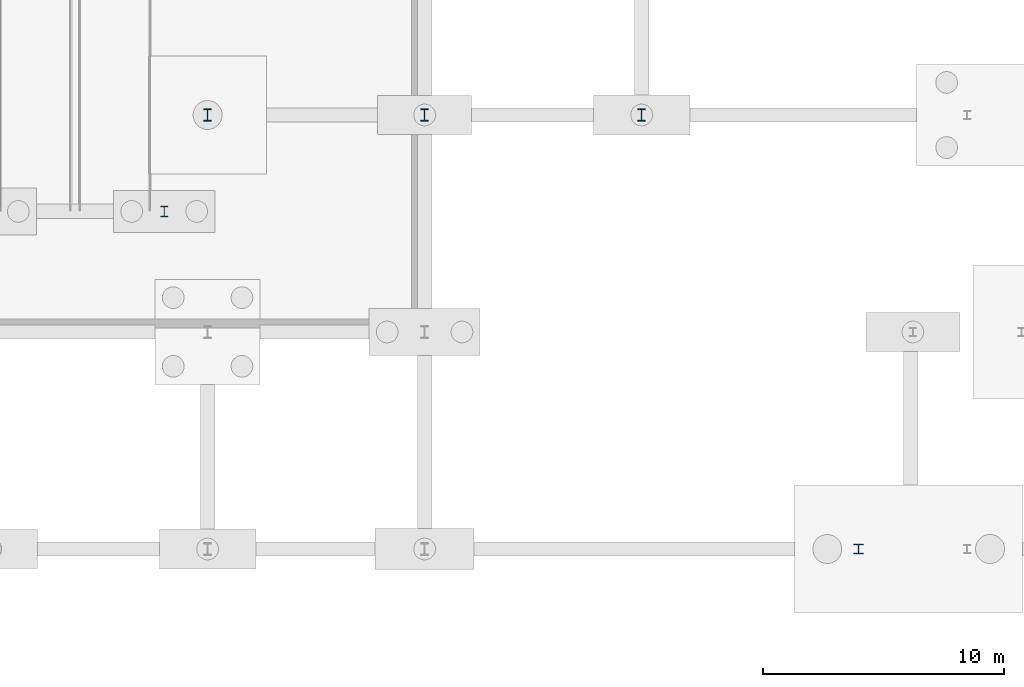
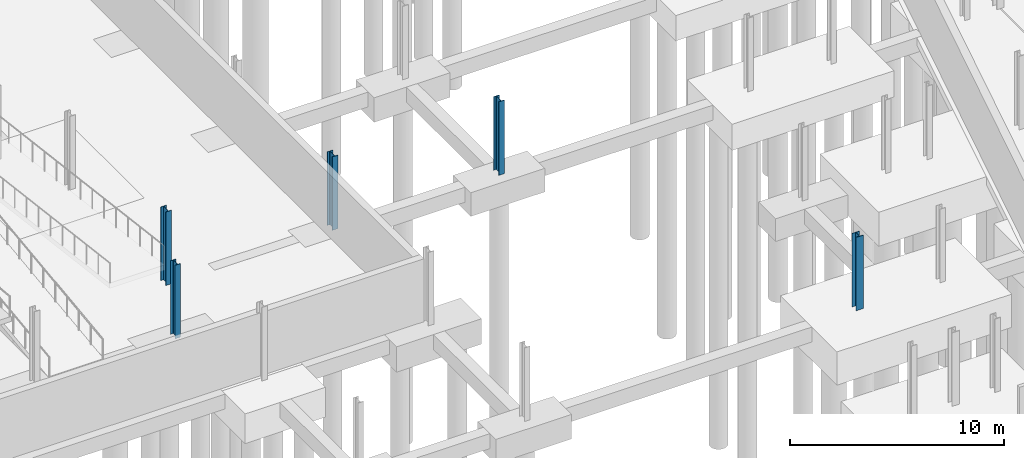
# One storey, part 16 of 42: 5 columns.
"""IFC4 building model written with IfcOpenShell, lengths in metres."""

from ifc_helpers import new_model, si_unit, direction, frame, origin, origin_2d, place, context, subcontext, project, spatial, i_section, extrude, material, material_profile, profile_set, type_object, element, save


model = new_model("IFC4")

# Units and contexts
model_context = context("Model", 3, precision=1e-05, world=origin(), true_north=direction((0.0, 1.0)))
body_context = subcontext(model_context, "Body", "Model", "MODEL_VIEW")
ifc_project = project(units=[si_unit("LENGTHUNIT", "METRE"), si_unit("AREAUNIT", "SQUARE_METRE"), si_unit("VOLUMEUNIT", "CUBIC_METRE"), si_unit("PLANEANGLEUNIT", "RADIAN"), si_unit("MASSUNIT", "GRAM", prefix="KILO")], contexts=[model_context])

# Site, building, storey
site_placement = place(None, origin())
site = spatial("IfcSite", under=ifc_project, at=site_placement, CompositionType="ELEMENT")
building_placement = place(site_placement, origin())
building = spatial("IfcBuilding", under=site, at=building_placement, Name="Deido Ridge Mobility Hub", CompositionType="ELEMENT")
storey_placement = place(building_placement, frame((0.0, 0.0, -4.199951171875)))
storey = spatial("IfcBuildingStorey", under=building, at=storey_placement, Name="B1", CompositionType="ELEMENT", Elevation=-4.199951171875)

# Columns
ifc_material = material(Name="Steel S355J2 EN 10025-2", Category="steel")
ifc_material_profile_1 = material_profile(ifc_material, i_section(OverallWidth=0.39892578125, OverallDepth=0.39306640625, WebThickness=0.017578125, FlangeThickness=0.028076171875, FilletRadius=0.014892578125, at=origin_2d()), Name="HD 400x287")
ifc_profile_set_1 = profile_set([ifc_material_profile_1], Name="Steel S355J2 EN 10025-2")
column_type_1 = type_object("IfcColumnType", Name="COL-HD400-287", PredefinedType="COLUMN", material=ifc_profile_set_1)
column_1_placement = place(storey_placement, frame((126.0, 36.0, 0.0), z_axis=(0.0, 0.0, 1.0), x_axis=(1.0, 0.0, 0.0)))
element("IfcColumn", 1, at=column_1_placement, inside=storey, type_object=column_type_1, Name="Structural column C2", PredefinedType="COLUMN", context=body_context, shape_type="SweptSolid", body=[
    extrude(i_section(OverallWidth=0.39892578125, OverallDepth=0.39306640625, WebThickness=0.017578125, FlangeThickness=0.028076171875, FilletRadius=0.014892578125, at=origin_2d()), origin(), (0.0, 0.0, 1.0), 4.199951171875),
])
ifc_material_profile_2 = material_profile(ifc_material, i_section(OverallWidth=0.300048828125, OverallDepth=0.449951171875, WebThickness=0.013916015625, FlangeThickness=0.02587890625, FilletRadius=0.027099609375, at=origin_2d()), Name="HEB 450")
ifc_profile_set_2 = profile_set([ifc_material_profile_2], Name="Steel S355J2 EN 10025-2")
column_type_2 = type_object("IfcColumnType", Name="COL-HEB450", PredefinedType="COLUMN", material=ifc_profile_set_2)
column_2_placement = place(storey_placement, frame((97.199951171875, 50.0, 0.0), z_axis=(0.0, 0.0, 1.0), x_axis=(1.0, 0.0, 0.0)))
element("IfcColumn", 2, at=column_2_placement, inside=storey, type_object=column_type_2, Name="Structural column C6", PredefinedType="COLUMN", context=body_context, shape_type="SweptSolid", body=[
    extrude(i_section(OverallWidth=0.300048828125, OverallDepth=0.449951171875, WebThickness=0.013916015625, FlangeThickness=0.02587890625, FilletRadius=0.027099609375, at=origin_2d()), origin(), (0.0, 0.0, 1.0), 4.199951171875),
])
ifc_material_profile_3 = material_profile(ifc_material, i_section(OverallWidth=0.300048828125, OverallDepth=0.5, WebThickness=0.014404296875, FlangeThickness=0.028076171875, FilletRadius=0.027099609375, at=origin_2d()), Name="HEB 500")
ifc_profile_set_3 = profile_set([ifc_material_profile_3], Name="Steel S355J2 EN 10025-2")
column_type_3 = type_object("IfcColumnType", Name="COL-HEB500", PredefinedType="COLUMN", material=ifc_profile_set_3)
for number, where, z_axis, x_axis, name in (
    (3, (99.0, 54.0, 0.0), (0.0, 0.0, 1.0), (1.0, 0.0, 0.0), "Structural column C5"),
    (4, (108.0, 54.0, 0.0), (0.0, 0.0, 1.0), (1.0, 0.0, 0.0), "Structural column C5"),
    (5, (117.0, 54.0, 0.0), (0.0, 0.0, 1.0), (1.0, 0.0, 0.0), "Structural column C5"),
):
    element("IfcColumn", number, at=place(storey_placement, frame(where, z_axis=z_axis, x_axis=x_axis)), inside=storey, type_object=column_type_3, Name=name, PredefinedType="COLUMN", context=body_context, shape_type="SweptSolid", body=[
        extrude(i_section(OverallWidth=0.300048828125, OverallDepth=0.5, WebThickness=0.014404296875, FlangeThickness=0.028076171875, FilletRadius=0.027099609375, at=origin_2d()), origin(), (0.0, 0.0, 1.0), 4.199951171875),
    ])

save(model, "model.ifc")
